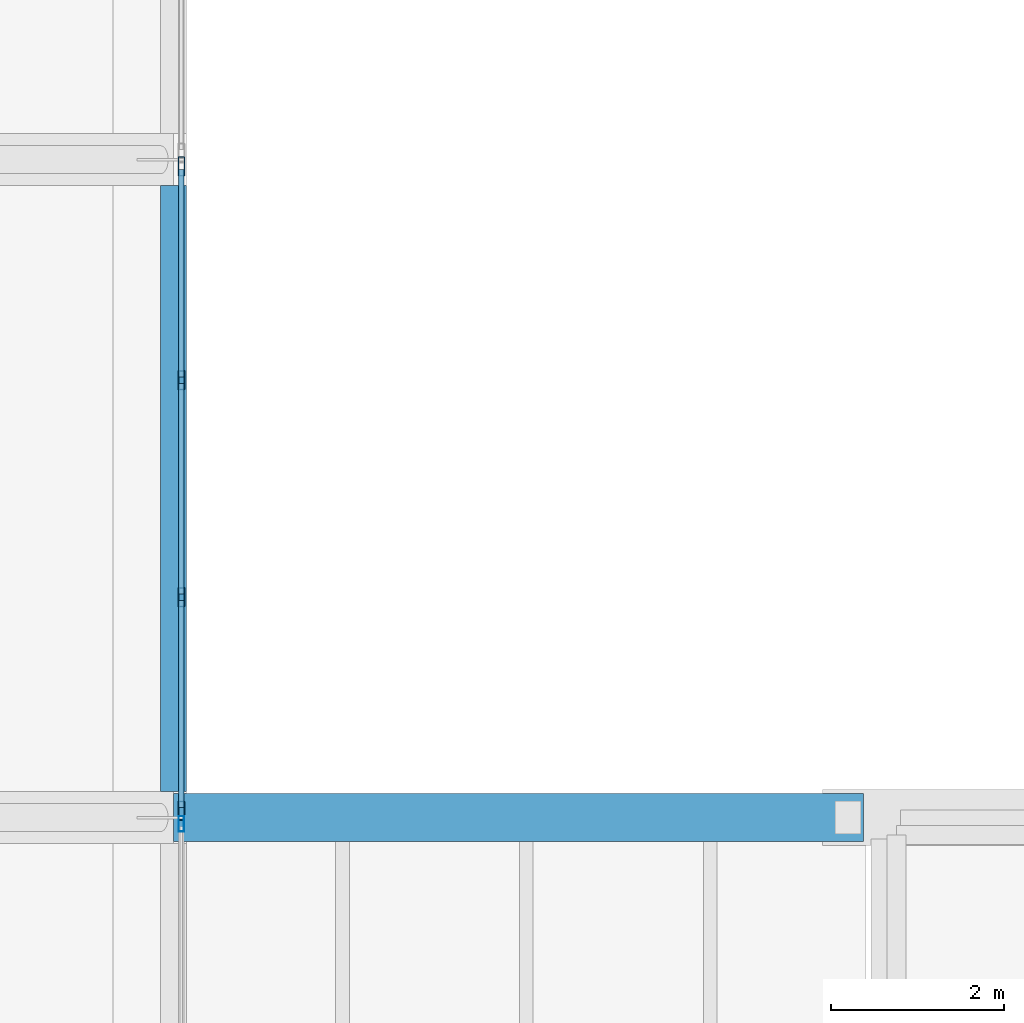
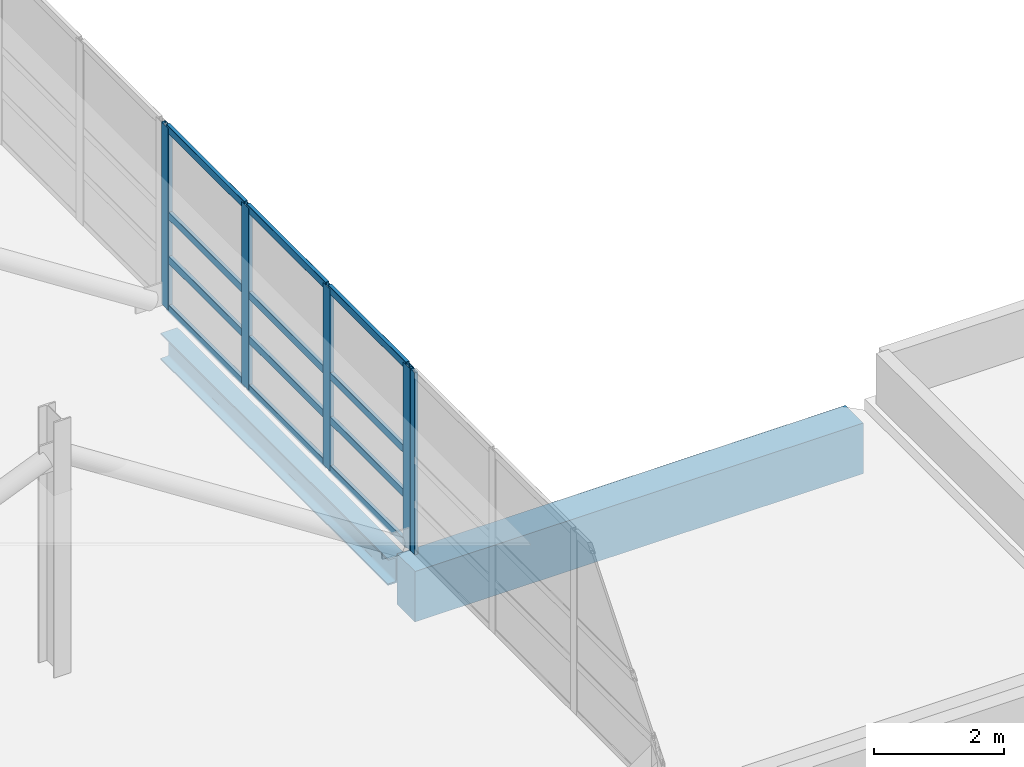
# One storey, part 14 of 107: 17 members, 2 beams, 2 elements without a shape of their own.
"""IFC4 building model written with IfcOpenShell, lengths in metres."""

import ifcopenshell
import ifcopenshell.guid

model = None  # the IFC model being written
_history = None  # IfcOwnerHistory: only IFC2X3 demands one
_inside = {}  # id of a spatial element -> (the spatial element, [elements in it])
_under = {}  # id of a project, library or spatial element -> (it, [spatial elements below it])
_declared = {}  # id of a project -> (the project, [libraries it declares])
_typed = {}  # id of a type object -> (the type object, [elements of that type])
_made_of = {}  # id of a material, layer set ... -> (it, [elements and type objects made of it])


def new_model(schema):
    """Start an empty IFC model of exactly this schema.

    Asked for "IFC4X3", IfcOpenShell would pick the latest addendum, in which some entities
    have other attributes; the version numbers below select the first issue.
    IFC2X3 requires an IfcOwnerHistory on every rooted entity: one is made here for all.
    """
    global model, _history
    if schema == "IFC4X3":
        model = ifcopenshell.file(schema_version=(4, 3, 0, 0))
    else:
        model = ifcopenshell.file(schema=schema)
    _inside.clear()
    _under.clear()
    _declared.clear()
    _typed.clear()
    _made_of.clear()
    _history = None
    if model.schema == "IFC2X3":
        org = make("IfcOrganization", Name="unknown")
        user = make(
            "IfcPersonAndOrganization",
            ThePerson=make("IfcPerson", FamilyName="unknown"),
            TheOrganization=org,
        )
        app = make(
            "IfcApplication",
            ApplicationDeveloper=org,
            Version="unknown",
            ApplicationFullName="unknown",
            ApplicationIdentifier="unknown",
        )
        _history = make(
            "IfcOwnerHistory",
            OwningUser=user,
            OwningApplication=app,
            ChangeAction="ADDED",
            CreationDate=0,
        )
    return model


def make(cls, **values):
    """One entity of the class cls with the attributes given. An attribute that is None is left unset."""
    return model.create_entity(
        cls, **{name: value for name, value in values.items() if value is not None}
    )


def rooted(cls, **values):
    """An entity with a GlobalId (a new one), such as an element, a storey or a relation."""
    return make(cls, GlobalId=ifcopenshell.guid.new(), OwnerHistory=_history, **values)


def si_unit(unit_type, name, prefix=None):
    """IfcSIUnit, for example si_unit("LENGTHUNIT", "METRE", prefix="MILLI")."""
    return make("IfcSIUnit", UnitType=unit_type, Prefix=prefix, Name=name)


def assignment(units):
    """IfcUnitAssignment: the units of a project."""
    return None if units is None else make("IfcUnitAssignment", Units=units)


def point(xyz):
    """IfcCartesianPoint."""
    return None if xyz is None else make("IfcCartesianPoint", Coordinates=xyz)


def direction(xyz):
    """IfcDirection."""
    return None if xyz is None else make("IfcDirection", DirectionRatios=xyz)


def frame(location, z_axis=None, x_axis=None):
    """IfcAxis2Placement3D, a coordinate frame: its origin and axes. An axis left out is left unset."""
    return make(
        "IfcAxis2Placement3D",
        Location=point(location),
        Axis=direction(z_axis),
        RefDirection=direction(x_axis),
    )


def frame_2d(location, x_axis=None):
    """IfcAxis2Placement2D, a coordinate frame in the plane: its origin and x axis."""
    return make(
        "IfcAxis2Placement2D", Location=point(location), RefDirection=direction(x_axis)
    )


def origin():
    """The frame at (0, 0, 0) with its axes left unset."""
    return frame((0.0, 0.0, 0.0))


def origin_2d():
    """The frame at (0, 0) in the plane with its x axis left unset."""
    return frame_2d((0.0, 0.0))


def place(relative_to, where):
    """IfcLocalPlacement: puts the frame where relative to a parent placement (None: the world)."""
    return make(
        "IfcLocalPlacement", PlacementRelTo=relative_to, RelativePlacement=where
    )


def context(
    kind, dimensions, precision=None, world=None, true_north=None, identifier=None
):
    """IfcGeometricRepresentationContext, for example the 3D "Model" context."""
    return make(
        "IfcGeometricRepresentationContext",
        ContextIdentifier=identifier,
        ContextType=kind,
        CoordinateSpaceDimension=dimensions,
        Precision=precision,
        WorldCoordinateSystem=world,
        TrueNorth=true_north,
    )


def subcontext(parent, identifier, kind, view, scale=None):
    """IfcGeometricRepresentationSubContext, for example "Body" below "Model"."""
    return make(
        "IfcGeometricRepresentationSubContext",
        ContextIdentifier=identifier,
        ContextType=kind,
        ParentContext=parent,
        TargetScale=scale,
        TargetView=view,
    )


def project(units=None, contexts=None):
    """IfcProject with its units and contexts."""
    return rooted(
        "IfcProject",
        Name="project",
        RepresentationContexts=contexts,
        UnitsInContext=assignment(units),
    )


def spatial(cls, under=None, at=None, **own):
    """A site, building, storey or space (cls), placed at a placement, below another one or the project."""
    s = rooted(cls, ObjectPlacement=at, **own)
    if under is not None:
        _under.setdefault(under.id(), (under, []))[1].append(s)
    return s


def profile(cls, at=None, kind="AREA", **sizes):
    """A parametric profile (cls). Its sizes go by their IFC names, for example OverallWidth=200.0."""
    return make(cls, ProfileType=kind, Position=at, **sizes)


def rectangle(**sizes):
    """IfcRectangleProfileDef."""
    return profile("IfcRectangleProfileDef", **sizes)


def hollow_rectangle(**sizes):
    """IfcRectangleHollowProfileDef."""
    return profile("IfcRectangleHollowProfileDef", **sizes)


def i_section(**sizes):
    """IfcIShapeProfileDef."""
    return profile("IfcIShapeProfileDef", **sizes)


def extrude(swept, where, along, depth):
    """IfcExtrudedAreaSolid: the profile swept, set in the frame where, extruded along a direction by depth."""
    return make(
        "IfcExtrudedAreaSolid",
        SweptArea=swept,
        Position=where,
        ExtrudedDirection=direction(along),
        Depth=depth,
    )


def shape(context_of_items, identifier, shape_type, items):
    """IfcShapeRepresentation: the items that make up one representation, for example the "Body"."""
    return make(
        "IfcShapeRepresentation",
        ContextOfItems=context_of_items,
        RepresentationIdentifier=identifier,
        RepresentationType=shape_type,
        Items=items,
    )


def material(Name=None, Category=None):
    """IfcMaterial."""
    return make("IfcMaterial", Name=Name, Category=Category)


def material_profile(
    of_material, cross_section, Name=None, Category=None, Priority=None
):
    """IfcMaterialProfile: a cross section and its material."""
    return make(
        "IfcMaterialProfile",
        Name=Name,
        Material=of_material,
        Profile=cross_section,
        Priority=Priority,
        Category=Category,
    )


def profile_set(profiles, Name=None, composite=None):
    """IfcMaterialProfileSet."""
    return make(
        "IfcMaterialProfileSet",
        Name=Name,
        MaterialProfiles=profiles,
        CompositeProfile=composite,
    )


def made_of(thing, what):
    """Note that an element or type object is made of a material, layer set ...; save() writes the relation."""
    if what is not None:
        _made_of.setdefault(what.id(), (what, []))[1].append(thing)
    return thing


def type_object(cls, material=None, **own):
    """A type object (cls), such as IfcWallType, which elements share."""
    return made_of(rooted(cls, **own), material)


def element(
    cls,
    number,
    at=None,
    inside=None,
    cuts=None,
    type_object=None,
    material=None,
    context=None,
    identifier="Body",
    shape_type=None,
    held_by="IfcProductDefinitionShape",
    body=None,
    shapes=None,
    **own,
):
    """One element of the class cls, such as IfcWall. Its Tag is "e" and its number.

    at: its placement. inside: the storey or other place that contains it. cuts: it is an
    opening in that element (IfcRelVoidsElement). A single representation is given by context,
    identifier, shape_type and body (its items); several are given by shapes. held_by: the class
    of the entity that holds the representations. save() writes the other relations.
    """
    e = rooted(cls, Tag="e%d" % number, ObjectPlacement=at, **own)
    if body is not None:
        shapes = [shape(context, identifier, shape_type, body)]
    if shapes is not None:
        e.Representation = make(held_by, Representations=shapes)
    if inside is not None:
        _inside.setdefault(inside.id(), (inside, []))[1].append(e)
    if cuts is not None:
        rooted(
            "IfcRelVoidsElement", RelatingBuildingElement=cuts, RelatedOpeningElement=e
        )
    if type_object is not None:
        _typed.setdefault(type_object.id(), (type_object, []))[1].append(e)
    return made_of(e, material)


def aggregate(whole, parts):
    """IfcRelAggregates: a whole, such as a stair, and the parts it consists of."""
    return rooted("IfcRelAggregates", RelatingObject=whole, RelatedObjects=parts)


def save(model, path):
    """Write the relations noted so far, then the file.

    IfcRelAggregates (storeys below a building ...), IfcRelContainedInSpatialStructure (elements
    in a storey), IfcRelDefinesByType, IfcRelAssociatesMaterial and IfcRelDeclares: one each for
    every whole, place, type object, material and project.
    """
    for whole, parts in _under.values():
        aggregate(whole, parts)
    for where, things in _inside.values():
        rooted(
            "IfcRelContainedInSpatialStructure",
            RelatedElements=things,
            RelatingStructure=where,
        )
    for kind, things in _typed.values():
        rooted("IfcRelDefinesByType", RelatedObjects=things, RelatingType=kind)
    for what, things in _made_of.values():
        rooted("IfcRelAssociatesMaterial", RelatedObjects=things, RelatingMaterial=what)
    for by, libraries in _declared.values():
        rooted("IfcRelDeclares", RelatingContext=by, RelatedDefinitions=libraries)
    model.write(path)


model = new_model("IFC4")

# Units and contexts
model_context = context("Model", 3, precision=1e-05, world=origin(), true_north=direction((0.0, 1.0)))
body_context = subcontext(model_context, "Body", "Model", "MODEL_VIEW")
ifc_project = project(units=[si_unit("LENGTHUNIT", "METRE"), si_unit("AREAUNIT", "SQUARE_METRE"), si_unit("VOLUMEUNIT", "CUBIC_METRE"), si_unit("PLANEANGLEUNIT", "RADIAN"), si_unit("MASSUNIT", "GRAM", prefix="KILO")], contexts=[model_context])

# Site, building, storey
site_placement = place(None, origin())
site = spatial("IfcSite", under=ifc_project, at=site_placement, CompositionType="ELEMENT")
building_placement = place(site_placement, origin())
building = spatial("IfcBuilding", under=site, at=building_placement, Name="Khelvaren Railside Concert Hall", CompositionType="ELEMENT")
storey_placement = place(building_placement, frame((0.0, 0.0, 15.0)))
storey = spatial("IfcBuildingStorey", under=building, at=storey_placement, Name="L03", CompositionType="ELEMENT", Elevation=15.0)

# Curtain wall, members
ifc_material_1 = material(Name="Double-glazed clear foyer glass", Category="glass")
curtain_wall_type_1 = type_object("IfcCurtainWallType", Name="CW68", PredefinedType="USERDEFINED", material=ifc_material_1)
curtain_wall_1_placement = place(storey_placement, origin())
curtain_wall_1 = element("IfcCurtainWall", 1, at=curtain_wall_1_placement, inside=storey, type_object=curtain_wall_type_1, Name="Unitised Curtain Wall CW-V1-L03-E-15", ObjectType="UNITISED CURTAIN WALL", PredefinedType="USERDEFINED")
ifc_material_2 = material(Name="Anodised architectural aluminium 6063-T6", Category="aluminium")
ifc_material_profile_1 = material_profile(ifc_material_2, hollow_rectangle(XDim=0.074951171875, YDim=0.219970703125, WallThickness=0.0048828125, InnerFilletRadius=0.0029296875, OuterFilletRadius=0.0048828125, at=origin_2d()), Name="CWM 75x220x5")
ifc_profile_set_1 = profile_set([ifc_material_profile_1], Name="Anodised architectural aluminium 6063-T6")
member_type_1 = type_object("IfcMemberType", Name="CWM13", PredefinedType="MULLION", material=ifc_profile_set_1)
member_1_placement = place(storey_placement, frame((55.93994140625, 22.722412109375, 0.0), z_axis=(0.0, 0.0, 1.0), x_axis=(1.0, 0.0, 0.0)))
member_1 = element("IfcMember", 2, at=member_1_placement, type_object=member_type_1, Name="CW68 mullion 1", PredefinedType="MULLION", context=body_context, shape_type="SweptSolid", body=[
    extrude(hollow_rectangle(XDim=0.074951171875, YDim=0.219970703125, WallThickness=0.0048828125, InnerFilletRadius=0.0029296875, OuterFilletRadius=0.0048828125, at=origin_2d()), origin(), (0.0, 0.0, 1.0), 3.419921875),
])
member_2_placement = place(storey_placement, frame((55.93994140625, 20.25341796875, 0.0), z_axis=(0.0, 0.0, 1.0), x_axis=(1.0, 0.0, 0.0)))
member_2 = element("IfcMember", 3, at=member_2_placement, type_object=member_type_1, Name="CW68 mullion 2", PredefinedType="MULLION", context=body_context, shape_type="SweptSolid", body=[
    extrude(hollow_rectangle(XDim=0.074951171875, YDim=0.219970703125, WallThickness=0.0048828125, InnerFilletRadius=0.0029296875, OuterFilletRadius=0.0048828125, at=origin_2d()), origin(), (0.0, 0.0, 1.0), 3.419921875),
])
member_3_placement = place(storey_placement, frame((55.93994140625, 17.74658203125, 0.0), z_axis=(0.0, 0.0, 1.0), x_axis=(1.0, 0.0, 0.0)))
member_3 = element("IfcMember", 4, at=member_3_placement, type_object=member_type_1, Name="CW68 mullion 3", PredefinedType="MULLION", context=body_context, shape_type="SweptSolid", body=[
    extrude(hollow_rectangle(XDim=0.074951171875, YDim=0.219970703125, WallThickness=0.0048828125, InnerFilletRadius=0.0029296875, OuterFilletRadius=0.0048828125, at=origin_2d()), origin(), (0.0, 0.0, 1.0), 3.419921875),
])
member_4_placement = place(storey_placement, frame((55.93994140625, 15.277587890625, 0.0), z_axis=(0.0, 0.0, 1.0), x_axis=(1.0, 0.0, 0.0)))
member_4 = element("IfcMember", 5, at=member_4_placement, type_object=member_type_1, Name="CW68 mullion 4", PredefinedType="MULLION", context=body_context, shape_type="SweptSolid", body=[
    extrude(hollow_rectangle(XDim=0.074951171875, YDim=0.219970703125, WallThickness=0.0048828125, InnerFilletRadius=0.0029296875, OuterFilletRadius=0.0048828125, at=origin_2d()), origin(), (0.0, 0.0, 1.0), 3.419921875),
])

# Curtain wall, member
ifc_material_3 = material(Name="Double-glazed low-E dark acoustic glass", Category="glass")
curtain_wall_type_2 = type_object("IfcCurtainWallType", Name="CW65", PredefinedType="USERDEFINED", material=ifc_material_3)
curtain_wall_2_placement = place(storey_placement, origin())
curtain_wall_2 = element("IfcCurtainWall", 6, at=curtain_wall_2_placement, inside=storey, type_object=curtain_wall_type_2, Name="Unitised Curtain Wall CW-V1-L03-E-8", ObjectType="UNITISED CURTAIN WALL", PredefinedType="USERDEFINED")
ifc_material_profile_2 = material_profile(ifc_material_2, hollow_rectangle(XDim=0.06494140625, YDim=0.179931640625, WallThickness=0.00390625, InnerFilletRadius=0.001953125, OuterFilletRadius=0.00390625, at=origin_2d()), Name="CWM 65x180x4")
ifc_profile_set_2 = profile_set([ifc_material_profile_2], Name="Anodised architectural aluminium 6063-T6")
member_type_2 = type_object("IfcMemberType", Name="CWM63", PredefinedType="MULLION", material=ifc_profile_set_2)
member_5_placement = place(storey_placement, frame((55.93994140625, 15.12744140625, 0.0), z_axis=(0.0, 0.0, 1.0), x_axis=(1.0, 0.0, 0.0)))
member_5 = element("IfcMember", 7, at=member_5_placement, type_object=member_type_2, Name="CW65 mullion 1", PredefinedType="MULLION", context=body_context, shape_type="SweptSolid", body=[
    extrude(hollow_rectangle(XDim=0.06494140625, YDim=0.179931640625, WallThickness=0.00390625, InnerFilletRadius=0.001953125, OuterFilletRadius=0.00390625, at=origin_2d()), origin(), (0.0, 0.0, 1.0), 3.419921875),
])
aggregate(curtain_wall_2, [member_5])

# Member
ifc_material_profile_3 = material_profile(ifc_material_2, hollow_rectangle(XDim=0.06494140625, YDim=0.139892578125, WallThickness=0.00390625, InnerFilletRadius=0.001953125, OuterFilletRadius=0.00390625, at=origin_2d()), Name="CWT 65x140x4")
ifc_profile_set_3 = profile_set([ifc_material_profile_3], Name="Anodised architectural aluminium 6063-T6")
member_type_3 = type_object("IfcMemberType", Name="CWT72", PredefinedType="USERDEFINED", material=ifc_profile_set_3)
member_6_placement = place(storey_placement, frame((55.93994140625, 22.68505859375, 0.032470703125), z_axis=(0.0, -1.0, 0.0), x_axis=(1.0, 0.0, 0.0)))
member_6 = element("IfcMember", 8, at=member_6_placement, type_object=member_type_3, Name="CW68 transom 1.1", ObjectType="TRANSOM", PredefinedType="USERDEFINED", context=body_context, shape_type="SweptSolid", body=[
    extrude(hollow_rectangle(XDim=0.06494140625, YDim=0.139892578125, WallThickness=0.00390625, InnerFilletRadius=0.001953125, OuterFilletRadius=0.00390625, at=origin_2d()), origin(), (0.0, 0.0, 1.0), 2.394287109375),
])

member_7_placement = place(storey_placement, frame((55.93994140625, 22.68505859375, 0.949951171875), z_axis=(0.0, -1.0, 0.0), x_axis=(1.0, 0.0, 0.0)))
member_7 = element("IfcMember", 9, at=member_7_placement, type_object=member_type_3, Name="CW68 transom 1.2", ObjectType="TRANSOM", PredefinedType="USERDEFINED", context=body_context, shape_type="SweptSolid", body=[
    extrude(hollow_rectangle(XDim=0.06494140625, YDim=0.139892578125, WallThickness=0.00390625, InnerFilletRadius=0.001953125, OuterFilletRadius=0.00390625, at=origin_2d()), origin(), (0.0, 0.0, 1.0), 2.394287109375),
])

member_8_placement = place(storey_placement, frame((55.93994140625, 22.68505859375, 1.7783203125), z_axis=(0.0, -1.0, 0.0), x_axis=(1.0, 0.0, 0.0)))
member_8 = element("IfcMember", 10, at=member_8_placement, type_object=member_type_3, Name="CW68 transom 1.3", ObjectType="TRANSOM", PredefinedType="USERDEFINED", context=body_context, shape_type="SweptSolid", body=[
    extrude(hollow_rectangle(XDim=0.06494140625, YDim=0.139892578125, WallThickness=0.00390625, InnerFilletRadius=0.001953125, OuterFilletRadius=0.00390625, at=origin_2d()), origin(), (0.0, 0.0, 1.0), 2.394287109375),
])

member_9_placement = place(storey_placement, frame((55.93994140625, 22.68505859375, 3.387451171875), z_axis=(0.0, -1.0, 0.0), x_axis=(1.0, 0.0, 0.0)))
member_9 = element("IfcMember", 11, at=member_9_placement, type_object=member_type_3, Name="CW68 transom 1.4", ObjectType="TRANSOM", PredefinedType="USERDEFINED", context=body_context, shape_type="SweptSolid", body=[
    extrude(hollow_rectangle(XDim=0.06494140625, YDim=0.139892578125, WallThickness=0.00390625, InnerFilletRadius=0.001953125, OuterFilletRadius=0.00390625, at=origin_2d()), origin(), (0.0, 0.0, 1.0), 2.394287109375),
])

member_10_placement = place(storey_placement, frame((55.93994140625, 20.2158203125, 0.032470703125), z_axis=(0.0, -1.0, 0.0), x_axis=(1.0, 0.0, 0.0)))
member_10 = element("IfcMember", 12, at=member_10_placement, type_object=member_type_3, Name="CW68 transom 2.1", ObjectType="TRANSOM", PredefinedType="USERDEFINED", context=body_context, shape_type="SweptSolid", body=[
    extrude(hollow_rectangle(XDim=0.06494140625, YDim=0.139892578125, WallThickness=0.00390625, InnerFilletRadius=0.001953125, OuterFilletRadius=0.00390625, at=origin_2d()), origin(), (0.0, 0.0, 1.0), 2.431640625),
])

member_11_placement = place(storey_placement, frame((55.93994140625, 20.2158203125, 0.949951171875), z_axis=(0.0, -1.0, 0.0), x_axis=(1.0, 0.0, 0.0)))
member_11 = element("IfcMember", 13, at=member_11_placement, type_object=member_type_3, Name="CW68 transom 2.2", ObjectType="TRANSOM", PredefinedType="USERDEFINED", context=body_context, shape_type="SweptSolid", body=[
    extrude(hollow_rectangle(XDim=0.06494140625, YDim=0.139892578125, WallThickness=0.00390625, InnerFilletRadius=0.001953125, OuterFilletRadius=0.00390625, at=origin_2d()), origin(), (0.0, 0.0, 1.0), 2.431640625),
])

member_12_placement = place(storey_placement, frame((55.93994140625, 20.2158203125, 1.7783203125), z_axis=(0.0, -1.0, 0.0), x_axis=(1.0, 0.0, 0.0)))
member_12 = element("IfcMember", 14, at=member_12_placement, type_object=member_type_3, Name="CW68 transom 2.3", ObjectType="TRANSOM", PredefinedType="USERDEFINED", context=body_context, shape_type="SweptSolid", body=[
    extrude(hollow_rectangle(XDim=0.06494140625, YDim=0.139892578125, WallThickness=0.00390625, InnerFilletRadius=0.001953125, OuterFilletRadius=0.00390625, at=origin_2d()), origin(), (0.0, 0.0, 1.0), 2.431640625),
])

member_13_placement = place(storey_placement, frame((55.93994140625, 20.2158203125, 3.387451171875), z_axis=(0.0, -1.0, 0.0), x_axis=(1.0, 0.0, 0.0)))
member_13 = element("IfcMember", 15, at=member_13_placement, type_object=member_type_3, Name="CW68 transom 2.4", ObjectType="TRANSOM", PredefinedType="USERDEFINED", context=body_context, shape_type="SweptSolid", body=[
    extrude(hollow_rectangle(XDim=0.06494140625, YDim=0.139892578125, WallThickness=0.00390625, InnerFilletRadius=0.001953125, OuterFilletRadius=0.00390625, at=origin_2d()), origin(), (0.0, 0.0, 1.0), 2.431640625),
])

member_14_placement = place(storey_placement, frame((55.93994140625, 17.709228515625, 0.032470703125), z_axis=(0.0, -1.0, 0.0), x_axis=(1.0, 0.0, 0.0)))
member_14 = element("IfcMember", 16, at=member_14_placement, type_object=member_type_3, Name="CW68 transom 3.1", ObjectType="TRANSOM", PredefinedType="USERDEFINED", context=body_context, shape_type="SweptSolid", body=[
    extrude(hollow_rectangle(XDim=0.06494140625, YDim=0.139892578125, WallThickness=0.00390625, InnerFilletRadius=0.001953125, OuterFilletRadius=0.00390625, at=origin_2d()), origin(), (0.0, 0.0, 1.0), 2.394287109375),
])

member_15_placement = place(storey_placement, frame((55.93994140625, 17.709228515625, 0.949951171875), z_axis=(0.0, -1.0, 0.0), x_axis=(1.0, 0.0, 0.0)))
member_15 = element("IfcMember", 17, at=member_15_placement, type_object=member_type_3, Name="CW68 transom 3.2", ObjectType="TRANSOM", PredefinedType="USERDEFINED", context=body_context, shape_type="SweptSolid", body=[
    extrude(hollow_rectangle(XDim=0.06494140625, YDim=0.139892578125, WallThickness=0.00390625, InnerFilletRadius=0.001953125, OuterFilletRadius=0.00390625, at=origin_2d()), origin(), (0.0, 0.0, 1.0), 2.394287109375),
])

member_16_placement = place(storey_placement, frame((55.93994140625, 17.709228515625, 1.7783203125), z_axis=(0.0, -1.0, 0.0), x_axis=(1.0, 0.0, 0.0)))
member_16 = element("IfcMember", 18, at=member_16_placement, type_object=member_type_3, Name="CW68 transom 3.3", ObjectType="TRANSOM", PredefinedType="USERDEFINED", context=body_context, shape_type="SweptSolid", body=[
    extrude(hollow_rectangle(XDim=0.06494140625, YDim=0.139892578125, WallThickness=0.00390625, InnerFilletRadius=0.001953125, OuterFilletRadius=0.00390625, at=origin_2d()), origin(), (0.0, 0.0, 1.0), 2.394287109375),
])

member_17_placement = place(storey_placement, frame((55.93994140625, 17.709228515625, 3.387451171875), z_axis=(0.0, -1.0, 0.0), x_axis=(1.0, 0.0, 0.0)))
member_17 = element("IfcMember", 19, at=member_17_placement, type_object=member_type_3, Name="CW68 transom 3.4", ObjectType="TRANSOM", PredefinedType="USERDEFINED", context=body_context, shape_type="SweptSolid", body=[
    extrude(hollow_rectangle(XDim=0.06494140625, YDim=0.139892578125, WallThickness=0.00390625, InnerFilletRadius=0.001953125, OuterFilletRadius=0.00390625, at=origin_2d()), origin(), (0.0, 0.0, 1.0), 2.394287109375),
])

aggregate(curtain_wall_1, [member_1, member_2, member_3, member_4, member_6, member_7, member_8, member_9, member_10, member_11, member_12, member_13, member_14, member_15, member_16, member_17])

# Beams
ifc_material_4 = material(Name="Concrete C40/50", Category="concrete")
ifc_material_profile_4 = material_profile(ifc_material_4, rectangle(XDim=0.550048828125, YDim=0.949951171875, at=origin_2d()), Name="RCB 550x950")
ifc_profile_set_4 = profile_set([ifc_material_profile_4], Name="Concrete C40/50")
beam_type_1 = type_object("IfcBeamType", Name="GR75", PredefinedType="T_BEAM", material=ifc_profile_set_4)
beam_1_placement = place(storey_placement, frame((55.85009765625, 15.199951171875, -0.695068359375), z_axis=(1.0, 0.0, 0.0), x_axis=(0.0, 1.0, 0.0)))
element("IfcBeam", 20, at=beam_1_placement, inside=storey, type_object=beam_type_1, Name="West Promenade Link Bridge L03 Bridge Girder 2", PredefinedType="T_BEAM", context=body_context, shape_type="SweptSolid", body=[
    extrude(rectangle(XDim=0.550048828125, YDim=0.949951171875, at=origin_2d()), origin(), (0.0, 0.0, 1.0), 7.969970703125),
])
ifc_material_5 = material(Name="Steel S355", Category="steel")
ifc_material_profile_5 = material_profile(ifc_material_5, i_section(OverallWidth=0.300048828125, OverallDepth=0.5, WebThickness=0.014404296875, FlangeThickness=0.028076171875, FilletRadius=0.027099609375, at=origin_2d()), Name="HEB 500")
ifc_profile_set_5 = profile_set([ifc_material_profile_5], Name="Steel S355")
beam_type_2 = type_object("IfcBeamType", Name="SP12", PredefinedType="SPANDREL", material=ifc_profile_set_5)
beam_2_placement = place(storey_placement, frame((55.85009765625, 15.5, -0.530029296875), z_axis=(0.0, 1.0, 0.0), x_axis=(-1.0, 0.0, 0.0)))
element("IfcBeam", 21, at=beam_2_placement, inside=storey, type_object=beam_type_2, Name="V1 L03 Cantilever Tip Spandrel Y3", PredefinedType="SPANDREL", context=body_context, shape_type="SweptSolid", body=[
    extrude(i_section(OverallWidth=0.300048828125, OverallDepth=0.5, WebThickness=0.014404296875, FlangeThickness=0.028076171875, FilletRadius=0.027099609375, at=origin_2d()), origin(), (0.0, 0.0, 1.0), 7.0),
])

save(model, "model.ifc")
